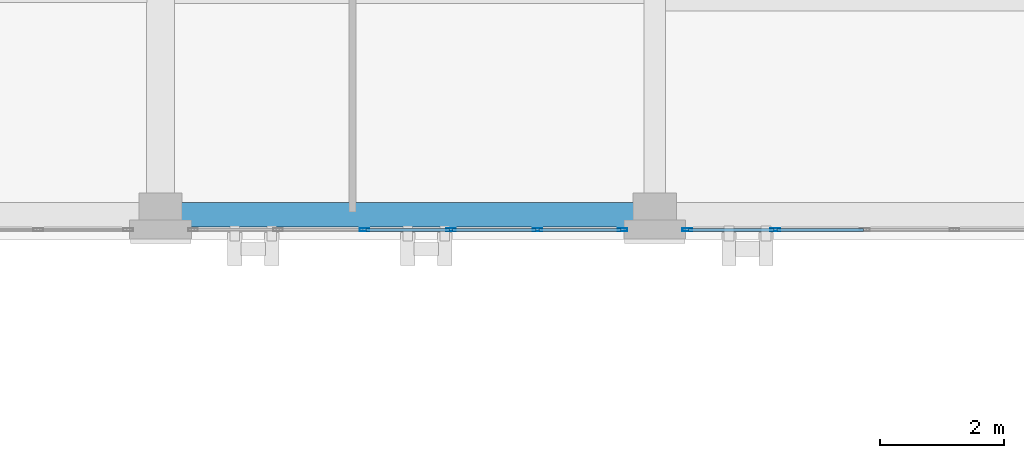
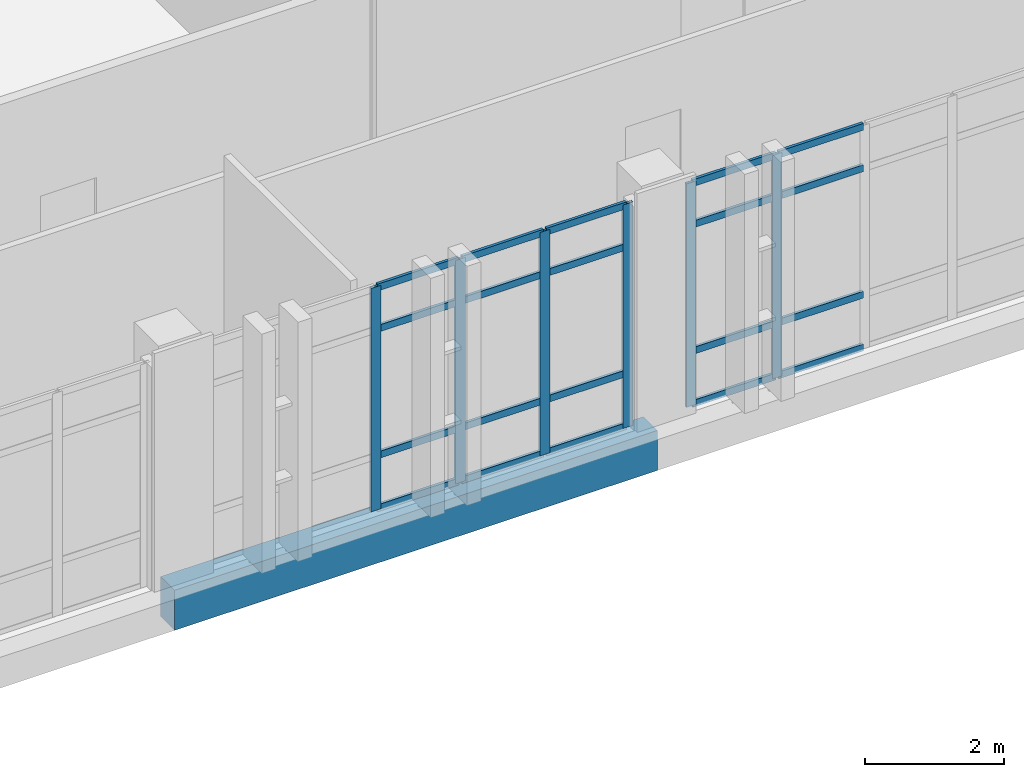
# One storey, part 86 of 193: 26 members, 1 beam, 2 elements without a shape of their own.
"""IFC4 building model written with IfcOpenShell, lengths in metres."""

from ifc_helpers import new_model, si_unit, direction, frame, origin, origin_2d, place, context, subcontext, project, spatial, rectangle, hollow_rectangle, extrude, material, layer, layer_set, material_profile, profile_set, type_object, element, aggregate, save


model = new_model("IFC4")

# Units and contexts
model_context = context("Model", 3, precision=1e-05, world=origin(), true_north=direction((0.0, 1.0)))
body_context = subcontext(model_context, "Body", "Model", "MODEL_VIEW")
ifc_project = project(units=[si_unit("LENGTHUNIT", "METRE"), si_unit("AREAUNIT", "SQUARE_METRE"), si_unit("VOLUMEUNIT", "CUBIC_METRE"), si_unit("PLANEANGLEUNIT", "RADIAN"), si_unit("MASSUNIT", "GRAM", prefix="KILO")], contexts=[model_context])

# Site, building, storey
site_placement = place(None, origin())
site = spatial("IfcSite", under=ifc_project, at=site_placement, CompositionType="ELEMENT")
building_placement = place(site_placement, origin())
building = spatial("IfcBuilding", under=site, at=building_placement, Name="Qalavern Law Courts", CompositionType="ELEMENT")
storey_placement = place(building_placement, frame((0.0, 0.0, 10.199951171875)))
storey = spatial("IfcBuildingStorey", under=building, at=storey_placement, Name="L02", CompositionType="ELEMENT", Elevation=10.199951171875)

# Curtain wall, members
ifc_material_1 = material(Name="Anodised aluminium and insulated glazing", Category="aluminium")
ifc_layer = layer(ifc_material_1, 0.166015625)
ifc_layer_set = layer_set([ifc_layer], Name="Anodised aluminium and insulated glazing")
curtain_wall_type = type_object("IfcCurtainWallType", Name="ENV-CW-LIB", PredefinedType="USERDEFINED", material=ifc_layer_set)
curtain_wall_1_placement = place(storey_placement, origin())
curtain_wall_1 = element("IfcCurtainWall", 1, at=curtain_wall_1_placement, inside=storey, type_object=curtain_wall_type, Name="V5 unitised curtain wall L02 south 3", ObjectType="UNITISED CURTAIN WALL", PredefinedType="USERDEFINED")
ifc_material_2 = material(Name="Anodised aluminium", Category="aluminium")
ifc_material_profile_1 = material_profile(ifc_material_2, hollow_rectangle(XDim=0.048095703125, YDim=0.159912109375, WallThickness=0.00390625, at=origin_2d()), Name="ALU MULLION 48x160")
ifc_profile_set_1 = profile_set([ifc_material_profile_1], Name="Anodised aluminium")
member_type_1 = type_object("IfcMemberType", Name="ENV-CWM-48x160", PredefinedType="MULLION", material=ifc_profile_set_1)
member_1_placement = place(storey_placement, frame((40.10009765625, 96.35498046875, 0.0), z_axis=(0.0, 0.0, 1.0), x_axis=(0.0, 1.0, 0.0)))
member_1 = element("IfcMember", 2, at=member_1_placement, type_object=member_type_1, Name="CW-05 mullion 3", PredefinedType="MULLION", context=body_context, shape_type="SweptSolid", body=[
    extrude(hollow_rectangle(XDim=0.048095703125, YDim=0.159912109375, WallThickness=0.00390625, at=origin_2d()), origin(), (0.0, 0.0, 1.0), 3.9150390625),
])
member_2_placement = place(storey_placement, frame((41.5, 96.35498046875, 0.0), z_axis=(0.0, 0.0, 1.0), x_axis=(0.0, 1.0, 0.0)))
member_2 = element("IfcMember", 3, at=member_2_placement, type_object=member_type_1, Name="CW-05 mullion 4", PredefinedType="MULLION", context=body_context, shape_type="SweptSolid", body=[
    extrude(hollow_rectangle(XDim=0.048095703125, YDim=0.159912109375, WallThickness=0.00390625, at=origin_2d()), origin(), (0.0, 0.0, 1.0), 3.9150390625),
])
member_3_placement = place(storey_placement, frame((42.89990234375, 96.35498046875, 0.0), z_axis=(0.0, 0.0, 1.0), x_axis=(0.0, 1.0, 0.0)))
member_3 = element("IfcMember", 4, at=member_3_placement, type_object=member_type_1, Name="CW-05 mullion 5", PredefinedType="MULLION", context=body_context, shape_type="SweptSolid", body=[
    extrude(hollow_rectangle(XDim=0.048095703125, YDim=0.159912109375, WallThickness=0.00390625, at=origin_2d()), origin(), (0.0, 0.0, 1.0), 3.9150390625),
])
member_4_placement = place(storey_placement, frame((44.27587890625, 96.35498046875, 0.0), z_axis=(0.0, 0.0, 1.0), x_axis=(0.0, 1.0, 0.0)))
member_4 = element("IfcMember", 5, at=member_4_placement, type_object=member_type_1, Name="CW-05 mullion 6", PredefinedType="MULLION", context=body_context, shape_type="SweptSolid", body=[
    extrude(hollow_rectangle(XDim=0.048095703125, YDim=0.159912109375, WallThickness=0.00390625, at=origin_2d()), origin(), (0.0, 0.0, 1.0), 3.9150390625),
])

curtain_wall_2_placement = place(storey_placement, origin())
curtain_wall_2 = element("IfcCurtainWall", 6, at=curtain_wall_2_placement, inside=storey, type_object=curtain_wall_type, Name="V5 unitised curtain wall L02 south 4", ObjectType="UNITISED CURTAIN WALL", PredefinedType="USERDEFINED")
member_5_placement = place(storey_placement, frame((45.323974609375, 96.35498046875, 0.0), z_axis=(0.0, 0.0, 1.0), x_axis=(0.0, 1.0, 0.0)))
member_5 = element("IfcMember", 7, at=member_5_placement, type_object=member_type_1, Name="CW-05 mullion 1", PredefinedType="MULLION", context=body_context, shape_type="SweptSolid", body=[
    extrude(hollow_rectangle(XDim=0.048095703125, YDim=0.159912109375, WallThickness=0.00390625, at=origin_2d()), origin(), (0.0, 0.0, 1.0), 3.9150390625),
])
member_6_placement = place(storey_placement, frame((46.75, 96.35498046875, 0.0), z_axis=(0.0, 0.0, 1.0), x_axis=(0.0, 1.0, 0.0)))
member_6 = element("IfcMember", 8, at=member_6_placement, type_object=member_type_1, Name="CW-05 mullion 2", PredefinedType="MULLION", context=body_context, shape_type="SweptSolid", body=[
    extrude(hollow_rectangle(XDim=0.048095703125, YDim=0.159912109375, WallThickness=0.00390625, at=origin_2d()), origin(), (0.0, 0.0, 1.0), 3.9150390625),
])

# Member
ifc_material_profile_2 = material_profile(ifc_material_2, hollow_rectangle(XDim=0.048095703125, YDim=0.1201171875, WallThickness=0.00390625, at=origin_2d()), Name="ALU TRANSOM 48x120")
ifc_profile_set_2 = profile_set([ifc_material_profile_2], Name="Anodised aluminium")
member_type_2 = type_object("IfcMemberType", Name="ENV-CWT-48x120", PredefinedType="USERDEFINED", material=ifc_profile_set_2)
member_7_placement = place(storey_placement, frame((40.1240234375, 96.35498046875, 0.024169921875), z_axis=(1.0, 0.0, 0.0), x_axis=(0.0, 1.0, 0.0)))
member_7 = element("IfcMember", 9, at=member_7_placement, type_object=member_type_2, Name="CW-05 transom 3.1", ObjectType="TRANSOM", PredefinedType="USERDEFINED", context=body_context, shape_type="SweptSolid", body=[
    extrude(hollow_rectangle(XDim=0.048095703125, YDim=0.1201171875, WallThickness=0.00390625, at=origin_2d()), origin(), (0.0, 0.0, 1.0), 1.35205078125),
])

member_8_placement = place(storey_placement, frame((40.1240234375, 96.35498046875, 0.949951171875), z_axis=(1.0, 0.0, 0.0), x_axis=(0.0, 1.0, 0.0)))
member_8 = element("IfcMember", 10, at=member_8_placement, type_object=member_type_2, Name="CW-05 transom 3.2", ObjectType="TRANSOM", PredefinedType="USERDEFINED", context=body_context, shape_type="SweptSolid", body=[
    extrude(hollow_rectangle(XDim=0.048095703125, YDim=0.1201171875, WallThickness=0.00390625, at=origin_2d()), origin(), (0.0, 0.0, 1.0), 1.35205078125),
])

member_9_placement = place(storey_placement, frame((40.1240234375, 96.35498046875, 3.1650390625), z_axis=(1.0, 0.0, 0.0), x_axis=(0.0, 1.0, 0.0)))
member_9 = element("IfcMember", 11, at=member_9_placement, type_object=member_type_2, Name="CW-05 transom 3.3", ObjectType="TRANSOM", PredefinedType="USERDEFINED", context=body_context, shape_type="SweptSolid", body=[
    extrude(hollow_rectangle(XDim=0.048095703125, YDim=0.1201171875, WallThickness=0.00390625, at=origin_2d()), origin(), (0.0, 0.0, 1.0), 1.35205078125),
])

member_10_placement = place(storey_placement, frame((40.1240234375, 96.35498046875, 3.89111328125), z_axis=(1.0, 0.0, 0.0), x_axis=(0.0, 1.0, 0.0)))
member_10 = element("IfcMember", 12, at=member_10_placement, type_object=member_type_2, Name="CW-05 transom 3.4", ObjectType="TRANSOM", PredefinedType="USERDEFINED", context=body_context, shape_type="SweptSolid", body=[
    extrude(hollow_rectangle(XDim=0.048095703125, YDim=0.1201171875, WallThickness=0.00390625, at=origin_2d()), origin(), (0.0, 0.0, 1.0), 1.35205078125),
])

member_11_placement = place(storey_placement, frame((41.52392578125, 96.35498046875, 0.024169921875), z_axis=(1.0, 0.0, 0.0), x_axis=(0.0, 1.0, 0.0)))
member_11 = element("IfcMember", 13, at=member_11_placement, type_object=member_type_2, Name="CW-05 transom 4.1", ObjectType="TRANSOM", PredefinedType="USERDEFINED", context=body_context, shape_type="SweptSolid", body=[
    extrude(hollow_rectangle(XDim=0.048095703125, YDim=0.1201171875, WallThickness=0.00390625, at=origin_2d()), origin(), (0.0, 0.0, 1.0), 1.35205078125),
])

member_12_placement = place(storey_placement, frame((41.52392578125, 96.35498046875, 0.949951171875), z_axis=(1.0, 0.0, 0.0), x_axis=(0.0, 1.0, 0.0)))
member_12 = element("IfcMember", 14, at=member_12_placement, type_object=member_type_2, Name="CW-05 transom 4.2", ObjectType="TRANSOM", PredefinedType="USERDEFINED", context=body_context, shape_type="SweptSolid", body=[
    extrude(hollow_rectangle(XDim=0.048095703125, YDim=0.1201171875, WallThickness=0.00390625, at=origin_2d()), origin(), (0.0, 0.0, 1.0), 1.35205078125),
])

member_13_placement = place(storey_placement, frame((41.52392578125, 96.35498046875, 3.1650390625), z_axis=(1.0, 0.0, 0.0), x_axis=(0.0, 1.0, 0.0)))
member_13 = element("IfcMember", 15, at=member_13_placement, type_object=member_type_2, Name="CW-05 transom 4.3", ObjectType="TRANSOM", PredefinedType="USERDEFINED", context=body_context, shape_type="SweptSolid", body=[
    extrude(hollow_rectangle(XDim=0.048095703125, YDim=0.1201171875, WallThickness=0.00390625, at=origin_2d()), origin(), (0.0, 0.0, 1.0), 1.35205078125),
])

member_14_placement = place(storey_placement, frame((41.52392578125, 96.35498046875, 3.89111328125), z_axis=(1.0, 0.0, 0.0), x_axis=(0.0, 1.0, 0.0)))
member_14 = element("IfcMember", 16, at=member_14_placement, type_object=member_type_2, Name="CW-05 transom 4.4", ObjectType="TRANSOM", PredefinedType="USERDEFINED", context=body_context, shape_type="SweptSolid", body=[
    extrude(hollow_rectangle(XDim=0.048095703125, YDim=0.1201171875, WallThickness=0.00390625, at=origin_2d()), origin(), (0.0, 0.0, 1.0), 1.35205078125),
])

member_15_placement = place(storey_placement, frame((42.924072265625, 96.35498046875, 0.024169921875), z_axis=(1.0, 0.0, 0.0), x_axis=(0.0, 1.0, 0.0)))
member_15 = element("IfcMember", 17, at=member_15_placement, type_object=member_type_2, Name="CW-05 transom 5.1", ObjectType="TRANSOM", PredefinedType="USERDEFINED", context=body_context, shape_type="SweptSolid", body=[
    extrude(hollow_rectangle(XDim=0.048095703125, YDim=0.1201171875, WallThickness=0.00390625, at=origin_2d()), origin(), (0.0, 0.0, 1.0), 1.327880859375),
])

member_16_placement = place(storey_placement, frame((42.924072265625, 96.35498046875, 0.949951171875), z_axis=(1.0, 0.0, 0.0), x_axis=(0.0, 1.0, 0.0)))
member_16 = element("IfcMember", 18, at=member_16_placement, type_object=member_type_2, Name="CW-05 transom 5.2", ObjectType="TRANSOM", PredefinedType="USERDEFINED", context=body_context, shape_type="SweptSolid", body=[
    extrude(hollow_rectangle(XDim=0.048095703125, YDim=0.1201171875, WallThickness=0.00390625, at=origin_2d()), origin(), (0.0, 0.0, 1.0), 1.327880859375),
])

member_17_placement = place(storey_placement, frame((42.924072265625, 96.35498046875, 3.1650390625), z_axis=(1.0, 0.0, 0.0), x_axis=(0.0, 1.0, 0.0)))
member_17 = element("IfcMember", 19, at=member_17_placement, type_object=member_type_2, Name="CW-05 transom 5.3", ObjectType="TRANSOM", PredefinedType="USERDEFINED", context=body_context, shape_type="SweptSolid", body=[
    extrude(hollow_rectangle(XDim=0.048095703125, YDim=0.1201171875, WallThickness=0.00390625, at=origin_2d()), origin(), (0.0, 0.0, 1.0), 1.327880859375),
])

member_18_placement = place(storey_placement, frame((42.924072265625, 96.35498046875, 3.89111328125), z_axis=(1.0, 0.0, 0.0), x_axis=(0.0, 1.0, 0.0)))
member_18 = element("IfcMember", 20, at=member_18_placement, type_object=member_type_2, Name="CW-05 transom 5.4", ObjectType="TRANSOM", PredefinedType="USERDEFINED", context=body_context, shape_type="SweptSolid", body=[
    extrude(hollow_rectangle(XDim=0.048095703125, YDim=0.1201171875, WallThickness=0.00390625, at=origin_2d()), origin(), (0.0, 0.0, 1.0), 1.327880859375),
])

aggregate(curtain_wall_1, [member_1, member_2, member_3, member_4, member_7, member_8, member_9, member_10, member_11, member_12, member_13, member_14, member_15, member_16, member_17, member_18])

member_19_placement = place(storey_placement, frame((45.347900390625, 96.35498046875, 0.024169921875), z_axis=(1.0, 0.0, 0.0), x_axis=(0.0, 1.0, 0.0)))
member_19 = element("IfcMember", 21, at=member_19_placement, type_object=member_type_2, Name="CW-05 transom 1.1", ObjectType="TRANSOM", PredefinedType="USERDEFINED", context=body_context, shape_type="SweptSolid", body=[
    extrude(hollow_rectangle(XDim=0.048095703125, YDim=0.1201171875, WallThickness=0.00390625, at=origin_2d()), origin(), (0.0, 0.0, 1.0), 1.378173828125),
])

member_20_placement = place(storey_placement, frame((45.347900390625, 96.35498046875, 0.949951171875), z_axis=(1.0, 0.0, 0.0), x_axis=(0.0, 1.0, 0.0)))
member_20 = element("IfcMember", 22, at=member_20_placement, type_object=member_type_2, Name="CW-05 transom 1.2", ObjectType="TRANSOM", PredefinedType="USERDEFINED", context=body_context, shape_type="SweptSolid", body=[
    extrude(hollow_rectangle(XDim=0.048095703125, YDim=0.1201171875, WallThickness=0.00390625, at=origin_2d()), origin(), (0.0, 0.0, 1.0), 1.378173828125),
])

member_21_placement = place(storey_placement, frame((45.347900390625, 96.35498046875, 3.1650390625), z_axis=(1.0, 0.0, 0.0), x_axis=(0.0, 1.0, 0.0)))
member_21 = element("IfcMember", 23, at=member_21_placement, type_object=member_type_2, Name="CW-05 transom 1.3", ObjectType="TRANSOM", PredefinedType="USERDEFINED", context=body_context, shape_type="SweptSolid", body=[
    extrude(hollow_rectangle(XDim=0.048095703125, YDim=0.1201171875, WallThickness=0.00390625, at=origin_2d()), origin(), (0.0, 0.0, 1.0), 1.378173828125),
])

member_22_placement = place(storey_placement, frame((45.347900390625, 96.35498046875, 3.89111328125), z_axis=(1.0, 0.0, 0.0), x_axis=(0.0, 1.0, 0.0)))
member_22 = element("IfcMember", 24, at=member_22_placement, type_object=member_type_2, Name="CW-05 transom 1.4", ObjectType="TRANSOM", PredefinedType="USERDEFINED", context=body_context, shape_type="SweptSolid", body=[
    extrude(hollow_rectangle(XDim=0.048095703125, YDim=0.1201171875, WallThickness=0.00390625, at=origin_2d()), origin(), (0.0, 0.0, 1.0), 1.378173828125),
])

member_23_placement = place(storey_placement, frame((46.77392578125, 96.35498046875, 0.024169921875), z_axis=(1.0, 0.0, 0.0), x_axis=(0.0, 1.0, 0.0)))
member_23 = element("IfcMember", 25, at=member_23_placement, type_object=member_type_2, Name="CW-05 transom 2.1", ObjectType="TRANSOM", PredefinedType="USERDEFINED", context=body_context, shape_type="SweptSolid", body=[
    extrude(hollow_rectangle(XDim=0.048095703125, YDim=0.1201171875, WallThickness=0.00390625, at=origin_2d()), origin(), (0.0, 0.0, 1.0), 1.402099609375),
])

member_24_placement = place(storey_placement, frame((46.77392578125, 96.35498046875, 0.949951171875), z_axis=(1.0, 0.0, 0.0), x_axis=(0.0, 1.0, 0.0)))
member_24 = element("IfcMember", 26, at=member_24_placement, type_object=member_type_2, Name="CW-05 transom 2.2", ObjectType="TRANSOM", PredefinedType="USERDEFINED", context=body_context, shape_type="SweptSolid", body=[
    extrude(hollow_rectangle(XDim=0.048095703125, YDim=0.1201171875, WallThickness=0.00390625, at=origin_2d()), origin(), (0.0, 0.0, 1.0), 1.402099609375),
])

member_25_placement = place(storey_placement, frame((46.77392578125, 96.35498046875, 3.1650390625), z_axis=(1.0, 0.0, 0.0), x_axis=(0.0, 1.0, 0.0)))
member_25 = element("IfcMember", 27, at=member_25_placement, type_object=member_type_2, Name="CW-05 transom 2.3", ObjectType="TRANSOM", PredefinedType="USERDEFINED", context=body_context, shape_type="SweptSolid", body=[
    extrude(hollow_rectangle(XDim=0.048095703125, YDim=0.1201171875, WallThickness=0.00390625, at=origin_2d()), origin(), (0.0, 0.0, 1.0), 1.402099609375),
])

member_26_placement = place(storey_placement, frame((46.77392578125, 96.35498046875, 3.89111328125), z_axis=(1.0, 0.0, 0.0), x_axis=(0.0, 1.0, 0.0)))
member_26 = element("IfcMember", 28, at=member_26_placement, type_object=member_type_2, Name="CW-05 transom 2.4", ObjectType="TRANSOM", PredefinedType="USERDEFINED", context=body_context, shape_type="SweptSolid", body=[
    extrude(hollow_rectangle(XDim=0.048095703125, YDim=0.1201171875, WallThickness=0.00390625, at=origin_2d()), origin(), (0.0, 0.0, 1.0), 1.402099609375),
])

aggregate(curtain_wall_2, [member_5, member_6, member_19, member_20, member_21, member_22, member_23, member_24, member_25, member_26])

# Beam
ifc_material_3 = material(Name="Concrete C40/50", Category="concrete")
ifc_material_profile_3 = material_profile(ifc_material_3, rectangle(XDim=0.39990234375, YDim=0.699951171875, at=origin_2d()), Name="RC 400x700")
ifc_profile_set_3 = profile_set([ifc_material_profile_3], Name="Concrete C40/50")
beam_type = type_object("IfcBeamType", Name="STR-SP-RC400x700", PredefinedType="SPANDREL", material=ifc_profile_set_3)
beam_placement = place(storey_placement, frame((36.800048828125, 96.60009765625, -0.639892578125), z_axis=(1.0, 0.0, 0.0), x_axis=(0.0, 1.0, 0.0)))
element("IfcBeam", 29, at=beam_placement, inside=storey, type_object=beam_type, Name="V5 X-beam 1-5 L02", PredefinedType="SPANDREL", context=body_context, shape_type="SweptSolid", body=[
    extrude(rectangle(XDim=0.39990234375, YDim=0.699951171875, at=origin_2d()), origin(), (0.0, 0.0, 1.0), 8.0),
])

save(model, "model.ifc")
